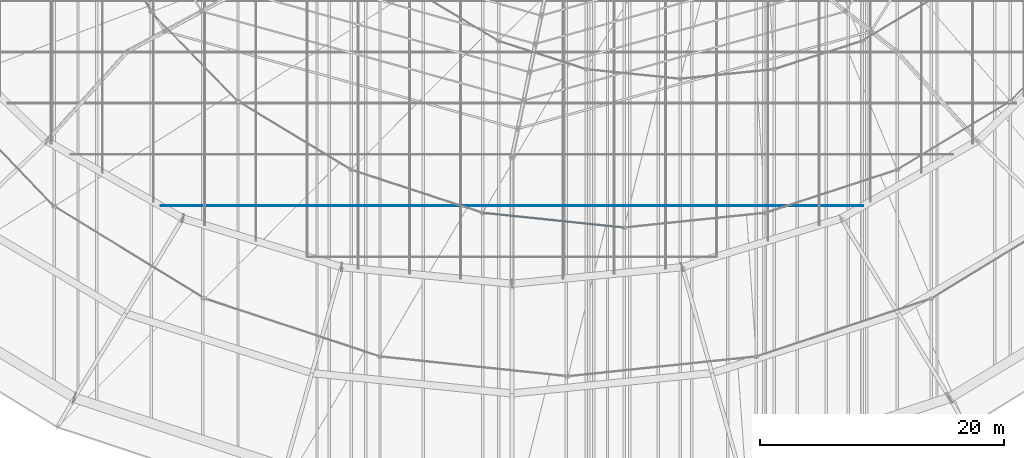
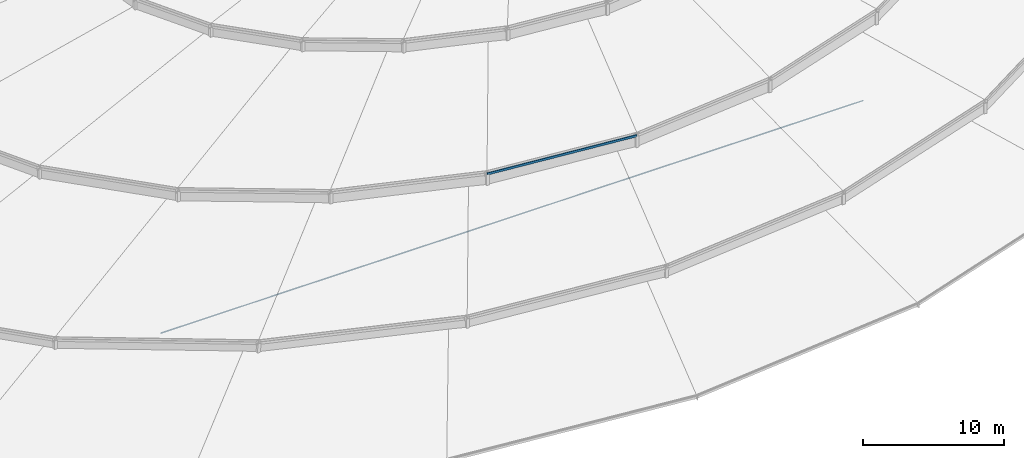
# One storey, part 35 of 184: 2 members.
"""IFC4 building model written with IfcOpenShell, lengths in metres."""

from ifc_helpers import new_model, si_unit, direction, frame, origin, origin_2d, place, context, subcontext, project, spatial, hollow_rectangle, circle, extrude, material, material_profile, profile_set, type_object, element, save


model = new_model("IFC4")

# Units and contexts
model_context = context("Model", 3, precision=1e-05, world=origin(), true_north=direction((0.0, 1.0)))
body_context = subcontext(model_context, "Body", "Model", "MODEL_VIEW")
ifc_project = project(units=[si_unit("LENGTHUNIT", "METRE"), si_unit("AREAUNIT", "SQUARE_METRE"), si_unit("VOLUMEUNIT", "CUBIC_METRE"), si_unit("PLANEANGLEUNIT", "RADIAN"), si_unit("MASSUNIT", "GRAM", prefix="KILO")], contexts=[model_context])

# Site, building, storey
site_placement = place(None, origin())
site = spatial("IfcSite", under=ifc_project, at=site_placement, CompositionType="ELEMENT")
building_placement = place(site_placement, origin())
building = spatial("IfcBuilding", under=site, at=building_placement, Name="Kalgoora Escarpment Arena", CompositionType="ELEMENT")
storey_placement = place(building_placement, frame((0.0, 0.0, 27.60009765625)))
storey = spatial("IfcBuildingStorey", under=building, at=storey_placement, Name="Roof Level", CompositionType="ELEMENT", Elevation=27.60009765625)

# Members
ifc_material_1 = material(Name="High-tensile spiral strand steel Grade 450 (350 MPa)", Category="steel")
ifc_material_profile_1 = material_profile(ifc_material_1, circle(Radius=0.035888671875, at=origin_2d()))
ifc_profile_set_1 = profile_set([ifc_material_profile_1], Name="High-tensile spiral strand steel Grade 450 (350 MPa)")
member_type_1 = type_object("IfcMemberType", Name="MEM-CABLE-72", PredefinedType="USERDEFINED", material=ifc_profile_set_1)
member_1_placement = place(storey_placement, frame((63.568603515625, 30.39990234375, -1.25), z_axis=(1.0, 0.0, 0.0), x_axis=(0.0, 1.0, 0.0)))
element("IfcMember", 1, at=member_1_placement, inside=storey, type_object=member_type_1, Name="Roof saddle hanging cable X-02", ObjectType="CABLE", PredefinedType="USERDEFINED", context=body_context, shape_type="SweptSolid", body=[
    extrude(circle(Radius=0.035888671875, at=origin_2d()), origin(), (0.0, 0.0, 1.0), 57.662841796875),
])
ifc_material_2 = material(Name="Structural steel C350 (350 MPa)", Category="steel")
ifc_material_profile_2 = material_profile(ifc_material_2, hollow_rectangle(XDim=0.10009765625, YDim=0.199951171875, WallThickness=0.009033203125, at=origin_2d()))
ifc_profile_set_2 = profile_set([ifc_material_profile_2], Name="Structural steel C350 (350 MPa)")
member_type_2 = type_object("IfcMemberType", Name="MEM-PURLIN-RHS", PredefinedType="PURLIN", material=ifc_profile_set_2)
member_2_placement = place(storey_placement, frame((90.0048828125, 29.80615234375, 3.684814453125), z_axis=(0.994634133376, -0.103455017873, 0.0), x_axis=(0.103455017873, 0.994634133376, 0.0)))
element("IfcMember", 2, at=member_2_placement, inside=storey, type_object=member_type_2, Name="Petal RP3 eave support ring purlin S18", PredefinedType="PURLIN", context=body_context, shape_type="SweptSolid", body=[
    extrude(hollow_rectangle(XDim=0.10009765625, YDim=0.199951171875, WallThickness=0.009033203125, at=origin_2d()), origin(), (0.0, 0.0, 1.0), 11.65771484375),
])

save(model, "model.ifc")
